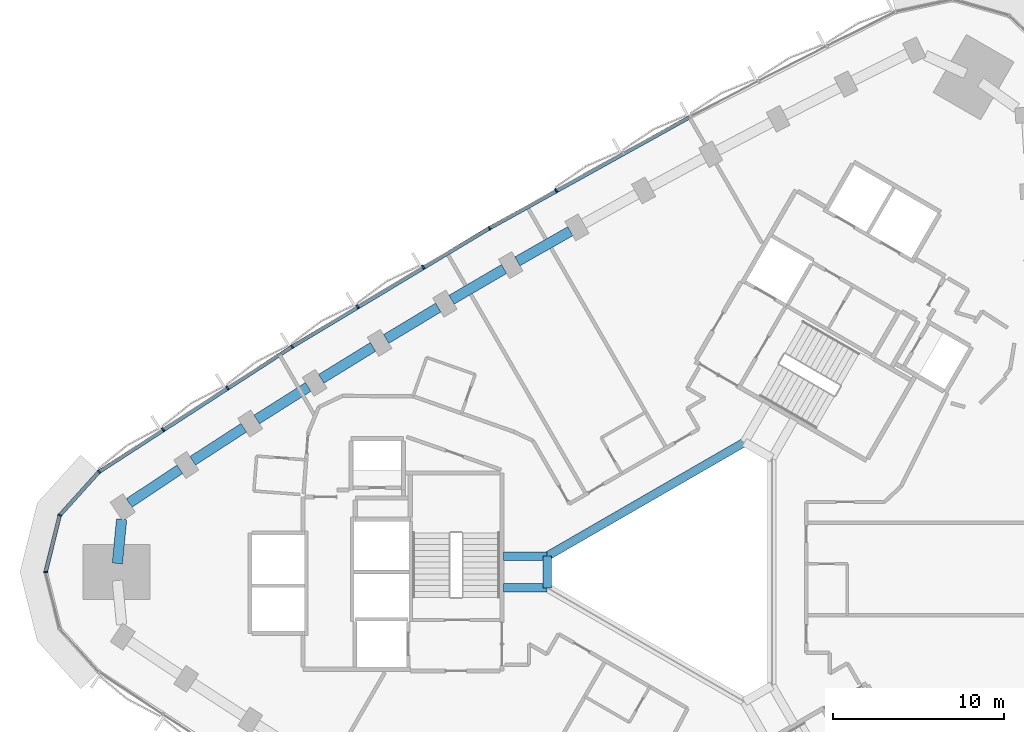
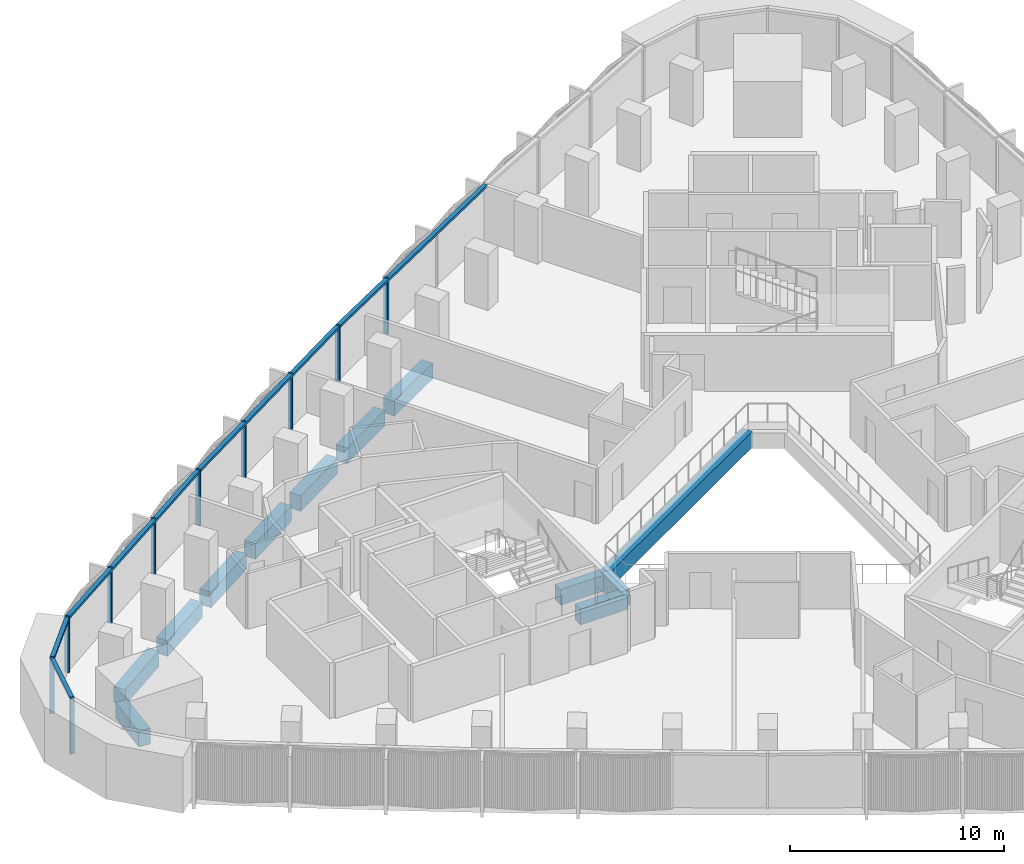
# One storey, part 4 of 15: 15 members, 12 beams, 1 element without a shape of its own.
"""IFC4 building model written with IfcOpenShell, lengths in metres."""

from ifc_helpers import new_model, si_unit, direction, frame, origin, origin_2d, place, context, subcontext, project, spatial, rectangle, extrude, material, material_profile, profile_set, type_object, element, aggregate, save


model = new_model("IFC4")

# Units and contexts
model_context = context("Model", 3, precision=1e-05, world=origin(), true_north=direction((0.0, 1.0)))
body_context = subcontext(model_context, "Body", "Model", "MODEL_VIEW")
ifc_project = project(units=[si_unit("LENGTHUNIT", "METRE"), si_unit("AREAUNIT", "SQUARE_METRE"), si_unit("VOLUMEUNIT", "CUBIC_METRE"), si_unit("PLANEANGLEUNIT", "RADIAN"), si_unit("MASSUNIT", "GRAM", prefix="KILO")], contexts=[model_context])

# Site, building, storey
site_placement = place(None, origin())
site = spatial("IfcSite", under=ifc_project, at=site_placement, CompositionType="ELEMENT")
building_placement = place(site_placement, origin())
building = spatial("IfcBuilding", under=site, at=building_placement, Name="Tamra Quay Hotel Tower", CompositionType="ELEMENT")
storey_placement = place(building_placement, frame((0.0, 0.0, 97.39990234375)))
storey = spatial("IfcBuildingStorey", under=building, at=storey_placement, Name="L23", CompositionType="ELEMENT", Elevation=97.39990234375)

# Beams
ifc_material_1 = material(Name="Concrete M60", Category="concrete")
ifc_material_profile_1 = material_profile(ifc_material_1, rectangle(XDim=0.5, YDim=0.89990234375, at=origin_2d()), Name="ATRIUM EDGE BEAM RC 500x900")
ifc_profile_set_1 = profile_set([ifc_material_profile_1], Name="Concrete M60")
beam_type_1 = type_object("IfcBeamType", Name="ATRIUM EDGE BEAM RC 500x900", PredefinedType="BEAM", material=ifc_profile_set_1)
beam_1_placement = place(storey_placement, frame((-8.199951171875, -0.923828125, -0.875), z_axis=(0.0, 1.0, 0.0), x_axis=(-1.0, 0.0, 0.0)))
element("IfcBeam", 1, at=beam_1_placement, inside=storey, type_object=beam_type_1, Name="BM-AB3-L23", PredefinedType="BEAM", context=body_context, shape_type="SweptSolid", body=[
    extrude(rectangle(XDim=0.5, YDim=0.89990234375, at=origin_2d()), origin(), (0.0, 0.0, 1.0), 1.84765625),
])
beam_2_placement = place(storey_placement, frame((-8.199951171875, 0.923828125, -0.875), z_axis=(0.866029440693, 0.499993007805, 0.0), x_axis=(-0.499993007805, 0.866029440693, 0.0)))
element("IfcBeam", 2, at=beam_2_placement, inside=storey, type_object=beam_type_1, Name="BM-AB4-L23", PredefinedType="BEAM", context=body_context, shape_type="SweptSolid", body=[
    extrude(rectangle(XDim=0.5, YDim=0.89990234375, at=origin_2d()), origin(), (0.0, 0.0, 1.0), 13.279052734375),
])
ifc_material_profile_2 = material_profile(ifc_material_1, rectangle(XDim=0.5, YDim=0.89990234375, at=origin_2d()), Name="ATRIUM TIE BEAM RC 500x900")
ifc_profile_set_2 = profile_set([ifc_material_profile_2], Name="Concrete M60")
beam_type_2 = type_object("IfcBeamType", Name="ATRIUM TIE BEAM RC 500x900", PredefinedType="BEAM", material=ifc_profile_set_2)
for number, where, z_axis, x_axis, name in (
    (3, (-8.199951171875, -0.923828125, -0.875), (-1.0, 0.0, 0.0), (0.0, -1.0, 0.0), "BM-TIE-3-L23"),
    (4, (-8.199951171875, 0.923828125, -0.875), (-1.0, 0.0, 0.0), (0.0, -1.0, 0.0), "BM-TIE-4-L23"),
):
    element("IfcBeam", number, at=place(storey_placement, frame(where, z_axis=z_axis, x_axis=x_axis)), inside=storey, type_object=beam_type_2, Name=name, PredefinedType="BEAM", context=body_context, shape_type="SweptSolid", body=[
        extrude(rectangle(XDim=0.5, YDim=0.89990234375, at=origin_2d()), origin(), (0.0, 0.0, 1.0), 2.562255859375),
    ])

# Curtain wall, members
ifc_material_2 = material(Name="Aluminium 6063 anodised dark grey", Category="aluminium")
curtain_wall_type = type_object("IfcCurtainWallType", Name="CW2 CURTAIN WALL", PredefinedType="NOTDEFINED", material=ifc_material_2)
curtain_wall_placement = place(storey_placement, origin())
curtain_wall = element("IfcCurtainWall", 5, at=curtain_wall_placement, inside=storey, type_object=curtain_wall_type, Name="CW2 north-west face L23", PredefinedType="NOTDEFINED")
ifc_material_profile_3 = material_profile(ifc_material_2, rectangle(XDim=0.219970703125, YDim=0.10009765625, at=origin_2d()), Name="MULLION 100X220")
ifc_profile_set_3 = profile_set([ifc_material_profile_3], Name="Aluminium 6063 anodised dark grey")
member_type_1 = type_object("IfcMemberType", Name="MULLION CW2 Z2", PredefinedType="MULLION", material=ifc_profile_set_3)
member_1_placement = place(storey_placement, frame((-7.685791015625, 22.25830078125, 0.0), z_axis=(0.0, 0.0, 1.0), x_axis=(-0.490074328026, 0.871680648523, 0.0)))
member_1 = element("IfcMember", 6, at=member_1_placement, type_object=member_type_1, Name="CW2 mullion L23.NW.6", PredefinedType="MULLION", context=body_context, shape_type="SweptSolid", body=[
    extrude(rectangle(XDim=0.219970703125, YDim=0.10009765625, at=origin_2d()), origin(), (0.0, 0.0, 1.0), 3.175048828125),
])
member_2_placement = place(storey_placement, frame((-11.572265625, 20.0439453125, 0.0), z_axis=(0.0, 0.0, 1.0), x_axis=(-0.5, 0.866025403784, 0.0)))
member_2 = element("IfcMember", 7, at=member_2_placement, type_object=member_type_1, Name="CW2 mullion L23.NW.7", PredefinedType="MULLION", context=body_context, shape_type="SweptSolid", body=[
    extrude(rectangle(XDim=0.219970703125, YDim=0.10009765625, at=origin_2d()), origin(), (0.0, 0.0, 1.0), 3.175048828125),
])
member_3_placement = place(storey_placement, frame((-15.43359375, 17.78515625, 0.0), z_axis=(0.0, 0.0, 1.0), x_axis=(-0.509860421596, 0.860257142075, 0.0)))
member_3 = element("IfcMember", 8, at=member_3_placement, type_object=member_type_1, Name="CW2 mullion L23.NW.8", PredefinedType="MULLION", context=body_context, shape_type="SweptSolid", body=[
    extrude(rectangle(XDim=0.219970703125, YDim=0.10009765625, at=origin_2d()), origin(), (0.0, 0.0, 1.0), 3.175048828125),
])
member_4_placement = place(storey_placement, frame((-19.2685546875, 15.482666015625, 0.0), z_axis=(0.0, 0.0, 1.0), x_axis=(-0.519650021275, 0.854379222236, 0.0)))
member_4 = element("IfcMember", 9, at=member_4_placement, type_object=member_type_1, Name="CW2 mullion L23.NW.9", PredefinedType="MULLION", context=body_context, shape_type="SweptSolid", body=[
    extrude(rectangle(XDim=0.219970703125, YDim=0.10009765625, at=origin_2d()), origin(), (0.0, 0.0, 1.0), 3.175048828125),
])
member_5_placement = place(storey_placement, frame((-23.0771484375, 13.13623046875, 0.0), z_axis=(0.0, 0.0, 1.0), x_axis=(-0.5293643356, 0.848394601701, 0.0)))
member_5 = element("IfcMember", 10, at=member_5_placement, type_object=member_type_1, Name="CW2 mullion L23.NW.10", PredefinedType="MULLION", context=body_context, shape_type="SweptSolid", body=[
    extrude(rectangle(XDim=0.219970703125, YDim=0.10009765625, at=origin_2d()), origin(), (0.0, 0.0, 1.0), 3.175048828125),
])
member_6_placement = place(storey_placement, frame((-26.858642578125, 10.74658203125, 0.0), z_axis=(0.0, 0.0, 1.0), x_axis=(-0.538998516205, 0.842306713453, 0.0)))
member_6 = element("IfcMember", 11, at=member_6_placement, type_object=member_type_1, Name="CW2 mullion L23.NW.11", PredefinedType="MULLION", context=body_context, shape_type="SweptSolid", body=[
    extrude(rectangle(XDim=0.219970703125, YDim=0.10009765625, at=origin_2d()), origin(), (0.0, 0.0, 1.0), 3.175048828125),
])
member_7_placement = place(storey_placement, frame((-30.612548828125, 8.314208984375, 0.0), z_axis=(0.0, 0.0, 1.0), x_axis=(-0.548547394531, 0.836119462729, 0.0)))
member_7 = element("IfcMember", 12, at=member_7_placement, type_object=member_type_1, Name="CW2 mullion L23.NW.12", PredefinedType="MULLION", context=body_context, shape_type="SweptSolid", body=[
    extrude(rectangle(XDim=0.219970703125, YDim=0.10009765625, at=origin_2d()), origin(), (0.0, 0.0, 1.0), 3.175048828125),
])
member_8_placement = place(storey_placement, frame((-34.338134765625, 5.839599609375, 0.0), z_axis=(0.0, 0.0, 1.0), x_axis=(-0.652886835472, 0.757455464081, 0.0)))
member_8 = element("IfcMember", 13, at=member_8_placement, type_object=member_type_1, Name="CW2 mullion L23.NW.13", PredefinedType="MULLION", context=body_context, shape_type="SweptSolid", body=[
    extrude(rectangle(XDim=0.219970703125, YDim=0.10009765625, at=origin_2d()), origin(), (0.0, 0.0, 1.0), 3.175048828125),
])
member_9_placement = place(storey_placement, frame((-36.623046875, 3.308349609375, 0.0), z_axis=(0.0, 0.0, 1.0), x_axis=(-0.882543846683, 0.47023011248, 0.0)))
member_9 = element("IfcMember", 14, at=member_9_placement, type_object=member_type_1, Name="CW2 mullion L23.NW.14", PredefinedType="MULLION", context=body_context, shape_type="SweptSolid", body=[
    extrude(rectangle(XDim=0.219970703125, YDim=0.10009765625, at=origin_2d()), origin(), (0.0, 0.0, 1.0), 3.175048828125),
])
member_10_placement = place(storey_placement, frame((-37.449462890625, 0.0, 0.0), z_axis=(0.0, 0.0, 1.0), x_axis=(-1.0, 0.0, 0.0)))
member_10 = element("IfcMember", 15, at=member_10_placement, type_object=member_type_1, Name="CW2 mullion L23.NW.15", PredefinedType="MULLION", context=body_context, shape_type="SweptSolid", body=[
    extrude(rectangle(XDim=0.219970703125, YDim=0.10009765625, at=origin_2d()), origin(), (0.0, 0.0, 1.0), 3.175048828125),
])

# Beams
ifc_material_profile_4 = material_profile(ifc_material_1, rectangle(XDim=0.60009765625, YDim=0.89990234375, at=origin_2d()), Name="SPANDREL BEAM RC 600x900")
ifc_profile_set_4 = profile_set([ifc_material_profile_4], Name="Concrete M60")
beam_type_3 = type_object("IfcBeamType", Name="SPANDREL BEAM RC 600x900", PredefinedType="SPANDREL", material=ifc_profile_set_4)
beam_3_placement = place(storey_placement, frame((-6.8583984375, 19.868896484375, -0.875), z_axis=(-0.868869699181, -0.495040852704, 0.0), x_axis=(0.495040852704, -0.868869699181, 0.0)))
element("IfcBeam", 16, at=beam_3_placement, inside=storey, type_object=beam_type_3, Name="BM-SP2-019-L23", PredefinedType="SPANDREL", context=body_context, shape_type="SweptSolid", body=[
    extrude(rectangle(XDim=0.60009765625, YDim=0.89990234375, at=origin_2d()), origin(), (0.0, 0.0, 1.0), 3.544921875),
])
for number, where, z_axis, x_axis, name in (
    (17, (-10.718017578125, 17.6640625, -0.875), (-0.863128698129, -0.504984010109, 0.0), (0.504984010109, -0.863128698129, 0.0), "BM-SP2-020-L23"),
    (18, (-14.552001953125, 15.415283203125, -0.875), (-0.857286231776, -0.514840088578, 0.0), (0.514840088578, -0.857286231776, 0.0), "BM-SP2-021-L23"),
):
    element("IfcBeam", number, at=place(storey_placement, frame(where, z_axis=z_axis, x_axis=x_axis)), inside=storey, type_object=beam_type_3, Name=name, PredefinedType="SPANDREL", context=body_context, shape_type="SweptSolid", body=[
        extrude(rectangle(XDim=0.60009765625, YDim=0.89990234375, at=origin_2d()), origin(), (0.0, 0.0, 1.0), 3.544677734375),
    ])
for number, where, z_axis, x_axis, name in (
    (19, (-18.35986328125, 13.122802734375, -0.875), (-0.851393361846, -0.524527733685, 0.0), (0.524527733685, -0.851393361846, 0.0), "BM-SP2-022-L23"),
    (20, (-22.1416015625, 10.787109375, -0.875), (-0.845333394052, -0.534239134566, 0.0), (0.534239134566, -0.845333394052, 0.0), "BM-SP2-023-L23"),
):
    element("IfcBeam", number, at=place(storey_placement, frame(where, z_axis=z_axis, x_axis=x_axis)), inside=storey, type_object=beam_type_3, Name=name, PredefinedType="SPANDREL", context=body_context, shape_type="SweptSolid", body=[
        extrude(rectangle(XDim=0.60009765625, YDim=0.89990234375, at=origin_2d()), origin(), (0.0, 0.0, 1.0), 3.544921875),
    ])
beam_4_placement = place(storey_placement, frame((-25.896240234375, 8.408203125, -0.875), z_axis=(-0.839237385713, -0.543765216266, 0.0), x_axis=(0.543765216266, -0.839237385713, 0.0)))
element("IfcBeam", 21, at=beam_4_placement, inside=storey, type_object=beam_type_3, Name="BM-SP2-024-L23", PredefinedType="SPANDREL", context=body_context, shape_type="SweptSolid", body=[
    extrude(rectangle(XDim=0.60009765625, YDim=0.89990234375, at=origin_2d()), origin(), (0.0, 0.0, 1.0), 3.544677734375),
])
beam_5_placement = place(storey_placement, frame((-29.623779296875, 5.98681640625, -0.875), z_axis=(-0.832981511469, -0.55330082374, 0.0), x_axis=(0.55330082374, -0.832981511469, 0.0)))
element("IfcBeam", 22, at=beam_5_placement, inside=storey, type_object=beam_type_3, Name="BM-SP2-025-L23", PredefinedType="SPANDREL", context=body_context, shape_type="SweptSolid", body=[
    extrude(rectangle(XDim=0.60009765625, YDim=0.89990234375, at=origin_2d()), origin(), (0.0, 0.0, 1.0), 3.544921875),
])
beam_6_placement = place(storey_placement, frame((-33.019287109375, 3.070556640625, -0.875), z_axis=(-0.09550001445, -0.995429428558, 0.0), x_axis=(0.995429428558, -0.09550001445, 0.0)))
element("IfcBeam", 23, at=beam_6_placement, inside=storey, type_object=beam_type_3, Name="BM-SP2-026-L23", PredefinedType="SPANDREL", context=body_context, shape_type="SweptSolid", body=[
    extrude(rectangle(XDim=0.60009765625, YDim=0.89990234375, at=origin_2d()), origin(), (0.0, 0.0, 1.0), 2.58447265625),
])

# Member
ifc_material_profile_5 = material_profile(ifc_material_2, rectangle(XDim=0.219970703125, YDim=0.139892578125, at=origin_2d()), Name="TRANSOM 220X140")
ifc_profile_set_5 = profile_set([ifc_material_profile_5], Name="Aluminium 6063 anodised dark grey")
member_type_2 = type_object("IfcMemberType", Name="TRANSOM CW2 Z2", PredefinedType="USERDEFINED", material=ifc_profile_set_5)
member_11_placement = place(storey_placement, frame((0.1181640625, 26.52978515625, 3.10498046875), z_axis=(-0.874459721019, -0.485098130605, 0.0), x_axis=(0.485098130605, -0.874459721019, 0.0)))
member_11 = element("IfcMember", 24, at=member_11_placement, type_object=member_type_2, Name="CW2 transom L23.NW.4", ObjectType="TRANSOM", PredefinedType="USERDEFINED", context=body_context, shape_type="SweptSolid", body=[
    extrude(rectangle(XDim=0.219970703125, YDim=0.139892578125, at=origin_2d()), origin(), (0.0, 0.0, 1.0), 13.3193359375),
])

member_12_placement = place(storey_placement, frame((-11.615478515625, 20.018798828125, 3.10498046875), z_axis=(-0.857332765871, -0.514762594372, 0.0), x_axis=(0.514762594372, -0.857332765871, 0.0)))
member_12 = element("IfcMember", 25, at=member_12_placement, type_object=member_type_2, Name="CW2 transom L23.NW.7", ObjectType="TRANSOM", PredefinedType="USERDEFINED", context=body_context, shape_type="SweptSolid", body=[
    extrude(rectangle(XDim=0.219970703125, YDim=0.139892578125, at=origin_2d()), origin(), (0.0, 0.0, 1.0), 13.319091796875),
])

member_13_placement = place(storey_placement, frame((-23.119384765625, 13.109619140625, 3.10498046875), z_axis=(-0.8392271939, -0.543780945804, 0.0), x_axis=(0.543780945804, -0.8392271939, 0.0)))
member_13 = element("IfcMember", 26, at=member_13_placement, type_object=member_type_2, Name="CW2 transom L23.NW.10", ObjectType="TRANSOM", PredefinedType="USERDEFINED", context=body_context, shape_type="SweptSolid", body=[
    extrude(rectangle(XDim=0.219970703125, YDim=0.139892578125, at=origin_2d()), origin(), (0.0, 0.0, 1.0), 13.318115234375),
])

member_14_placement = place(storey_placement, frame((-34.37158203125, 5.802490234375, 3.10498046875), z_axis=(-0.670080516261, -0.742288422196, 0.0), x_axis=(0.742288422196, -0.670080516261, 0.0)))
member_14 = element("IfcMember", 27, at=member_14_placement, type_object=member_type_2, Name="CW2 transom L23.NW.13", ObjectType="TRANSOM", PredefinedType="USERDEFINED", context=body_context, shape_type="SweptSolid", body=[
    extrude(rectangle(XDim=0.219970703125, YDim=0.139892578125, at=origin_2d()), origin(), (0.0, 0.0, 1.0), 3.31005859375),
])

member_15_placement = place(storey_placement, frame((-36.63525390625, 3.260009765625, 3.10498046875), z_axis=(-0.242292652285, -0.970203211007, 0.0), x_axis=(0.970203211007, -0.242292652285, 0.0)))
member_15 = element("IfcMember", 28, at=member_15_placement, type_object=member_type_2, Name="CW2 transom L23.NW.14", ObjectType="TRANSOM", PredefinedType="USERDEFINED", context=body_context, shape_type="SweptSolid", body=[
    extrude(rectangle(XDim=0.219970703125, YDim=0.139892578125, at=origin_2d()), origin(), (0.0, 0.0, 1.0), 3.31005859375),
])

aggregate(curtain_wall, [member_11, member_1, member_2, member_12, member_3, member_4, member_5, member_13, member_6, member_7, member_8, member_14, member_9, member_15, member_10])

save(model, "model.ifc")
